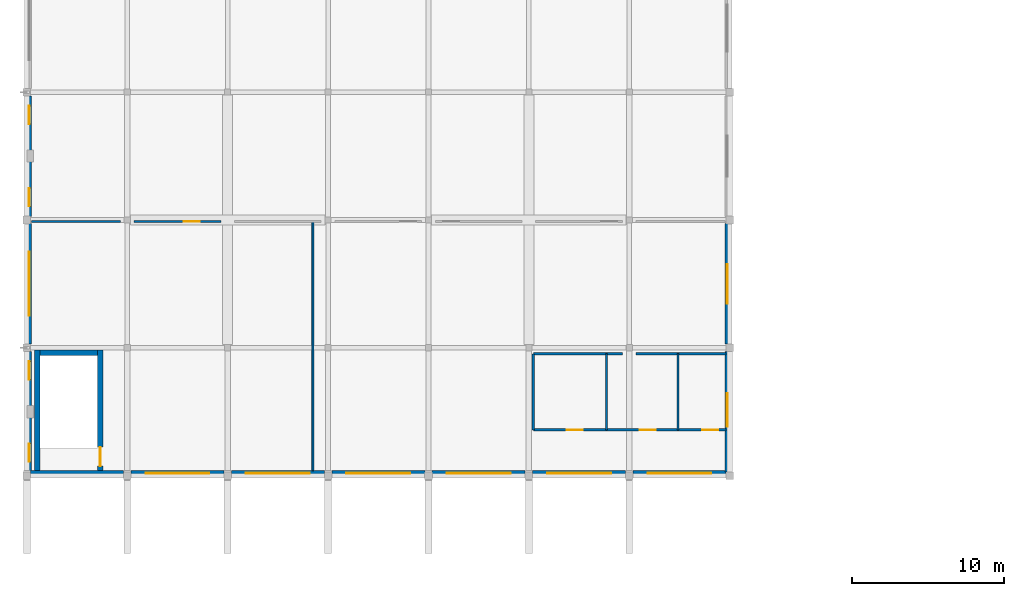
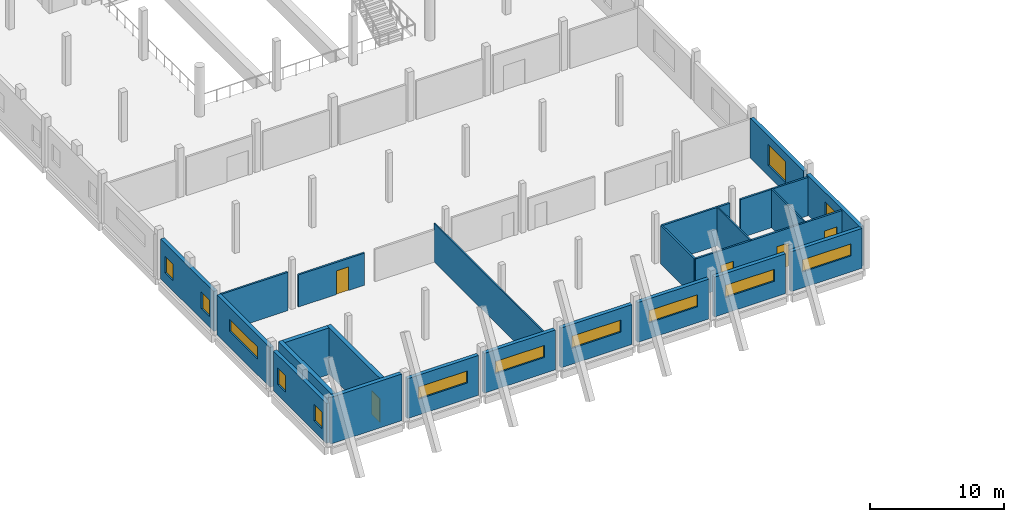
# One storey, part 45 of 76: 24 walls, 13 windows, 5 doors, 18 openings.
"""IFC4 building model written with IfcOpenShell, lengths in metres."""

from ifc_helpers import new_model, si_unit, direction, frame, frame_2d, origin, place, context, subcontext, project, spatial, rectangle, extrude, material, layer, layer_set, type_object, element, fill, save


model = new_model("IFC4")

# Units and contexts
model_context = context("Model", 3, precision=1e-05, world=origin(), true_north=direction((0.0, 1.0)))
body_context = subcontext(model_context, "Body", "Model", "MODEL_VIEW")
ifc_project = project(units=[si_unit("LENGTHUNIT", "METRE"), si_unit("AREAUNIT", "SQUARE_METRE"), si_unit("VOLUMEUNIT", "CUBIC_METRE"), si_unit("PLANEANGLEUNIT", "RADIAN"), si_unit("MASSUNIT", "GRAM", prefix="KILO")], contexts=[model_context])

# Site, building, storey
site_placement = place(None, origin())
site = spatial("IfcSite", under=ifc_project, at=site_placement, CompositionType="ELEMENT")
building_placement = place(site_placement, origin())
building = spatial("IfcBuilding", under=site, at=building_placement, Name="Qaldarim Faculty of Natural and Applied Sciences", CompositionType="ELEMENT")
storey_placement = place(building_placement, frame((0.0, 0.0, 9.89990234375)))
storey = spatial("IfcBuildingStorey", under=building, at=storey_placement, Name="L02", CompositionType="ELEMENT", Elevation=9.89990234375)

# Walls
ifc_material_1 = material(Name="Painted gypsum partition board")
ifc_layer_1 = layer(ifc_material_1, 0.1201171875)
ifc_layer_set_1 = layer_set([ifc_layer_1], Name="Painted gypsum partition board")
wall_type_1 = type_object("IfcWallType", Name="AcousticPartition-120", PredefinedType="PARTITIONING", material=ifc_layer_set_1)
for number, where, z_axis, x_axis, name in (
    (1, (38.10009765625, 19.800048828125, 0.0), (0.0, 0.0, 1.0), (0.0, 1.0, 0.0), "Interior partition PRT-L02-V1-WCD1"),
    (2, (42.800048828125, 19.800048828125, 0.0), (0.0, 0.0, 1.0), (0.0, 1.0, 0.0), "Interior partition PRT-L02-V1-WCD2"),
):
    element("IfcWall", number, at=place(storey_placement, frame(where, z_axis=z_axis, x_axis=x_axis)), inside=storey, type_object=wall_type_1, Name=name, PredefinedType="PARTITIONING", context=body_context, shape_type="SweptSolid", body=[
        extrude(rectangle(XDim=5.0, YDim=0.1201171875, at=frame_2d((2.5, 0.0))), origin(), (0.0, 0.0, 1.0), 3.489990234375),
    ])
wall_1_placement = place(storey_placement, frame((18.800048828125, 17.1201171875, 0.0), z_axis=(0.0, 0.0, 1.0), x_axis=(0.0, 1.0, 0.0)))
element("IfcWall", 3, at=wall_1_placement, inside=storey, type_object=wall_type_1, Name="Interior partition PRT-L02-V1-SEMD", PredefinedType="PARTITIONING", context=body_context, shape_type="SweptSolid", body=[
    extrude(rectangle(XDim=16.3798828125, YDim=0.1201171875, at=frame_2d((8.18994140625, 0.0))), origin(), (0.0, 0.0, 1.0), 3.489990234375),
])
ifc_material_2 = material(Name="Concrete C50/60", Category="concrete")
ifc_layer_2 = layer(ifc_material_2, 0.360107421875)
ifc_layer_set_2 = layer_set([ifc_layer_2], Name="Concrete C50/60")
wall_type_2 = type_object("IfcWallType", Name="CoreShearWall-360", PredefinedType="SHEAR", material=ifc_layer_set_2)
wall_2_placement = place(storey_placement, frame((0.669921875, 16.969970703125, 0.0), z_axis=(0.0, 0.0, 1.0), x_axis=(0.0, 1.0, 0.0)))
element("IfcWall", 4, at=wall_2_placement, inside=storey, type_object=wall_type_2, Name="Core stair ST-D1 west shear wall L02", PredefinedType="SHEAR", context=body_context, shape_type="SweptSolid", body=[
    extrude(rectangle(XDim=8.090087890625, YDim=0.360107421875, at=frame_2d((4.044921875, 0.0))), origin(), (0.0, 0.0, 1.0), 4.239990234375),
])

# Wall, opening, door
wall_3_placement = place(storey_placement, frame((4.830078125, 16.969970703125, 0.0), z_axis=(0.0, 0.0, 1.0), x_axis=(0.0, 1.0, 0.0)))
wall_3 = element("IfcWall", 5, at=wall_3_placement, inside=storey, type_object=wall_type_2, Name="Core stair ST-D1 east shear wall L02", PredefinedType="SHEAR", context=body_context, shape_type="SweptSolid", body=[
    extrude(rectangle(XDim=8.090087890625, YDim=0.360107421875, at=frame_2d((4.044921875, 0.0))), origin(), (0.0, 0.0, 1.0), 4.239990234375),
])
opening_1_placement = place(wall_3_placement, frame((0.449951171875, 0.0, 0.0)))
opening_1 = element("IfcOpeningElement", 6, at=opening_1_placement, cuts=wall_3, Name="Opening ID04", PredefinedType="OPENING", context=body_context, shape_type="SweptSolid", body=[
    extrude(rectangle(XDim=1.25, YDim=2.14990234375, at=frame_2d((0.625, 1.074951171875))), frame((0.0, 0.18994140625, 0.0), z_axis=(0.0, -1.0, 0.0), x_axis=(1.0, 0.0, 0.0)), (0.0, 0.0, 1.0), 0.380126953125),
])
ifc_material_3 = material(Name="Architectural stainless steel 316", Category="steel")
door_type_1 = type_object("IfcDoorType", Name="StairEnclosureFireDoor-1250x2150", OperationType="NOTDEFINED", PredefinedType="DOOR", material=ifc_material_3)
door_1_placement = place(opening_1_placement, origin())
door_1 = element("IfcDoor", 7, at=door_1_placement, inside=storey, type_object=door_type_1, Name="Protected stair ST-D1 fire door D-L02-551", OperationType="SINGLE_SWING_RIGHT", OverallHeight=2.14990234375, OverallWidth=1.25, PredefinedType="DOOR", context=body_context, shape_type="SweptSolid", body=[
    extrude(rectangle(XDim=1.25, YDim=2.14990234375, at=frame_2d((0.625, 1.074951171875))), frame((0.0, 0.02490234375, 0.0), z_axis=(0.0, -1.0, 0.0), x_axis=(1.0, 0.0, 0.0)), (0.0, 0.0, 1.0), 0.050048828125),
])
fill(opening_1, door_1)

# Wall
wall_4_placement = place(storey_placement, frame((0.85009765625, 24.8798828125, 0.0), z_axis=(0.0, 0.0, 1.0), x_axis=(1.0, 0.0, 0.0)))
element("IfcWall", 8, at=wall_4_placement, inside=storey, type_object=wall_type_2, Name="Core stair ST-D1 north shear wall L02", PredefinedType="SHEAR", context=body_context, shape_type="SweptSolid", body=[
    extrude(rectangle(XDim=3.7998046875, YDim=0.360107421875, at=frame_2d((1.89990234375, 0.0))), origin(), (0.0, 0.0, 1.0), 4.239990234375),
])

# Wall, openings, windows
ifc_material_4 = material(Name="Precast concrete C40/50", Category="concrete")
ifc_layer_3 = layer(ifc_material_4, 0.320068359375)
ifc_layer_set_3 = layer_set([ifc_layer_3], Name="Precast concrete C40/50")
wall_type_3 = type_object("IfcWallType", Name="ExteriorLimestoneWall-320", PredefinedType="SOLIDWALL", material=ifc_layer_set_3)
wall_5_placement = place(storey_placement, frame((0.159912109375, 24.955078125, 0.0), z_axis=(0.0, 0.0, 1.0), x_axis=(0.0, -1.0, 0.0)))
wall_5 = element("IfcWall", 9, at=wall_5_placement, inside=storey, type_object=wall_type_3, Name="Exterior wall EW01 L02 W X01Y03", PredefinedType="SOLIDWALL", context=body_context, shape_type="SweptSolid", body=[
    extrude(rectangle(XDim=7.91015625, YDim=0.320068359375, at=frame_2d((3.955078125, 0.0))), origin(), (0.0, 0.0, 1.0), 3.625),
])
opening_2_placement = place(wall_5_placement, frame((0.64990234375, 0.0, 0.949951171875)))
opening_2 = element("IfcOpeningElement", 10, at=opening_2_placement, cuts=wall_5, Name="Opening WN01", PredefinedType="OPENING", context=body_context, shape_type="SweptSolid", body=[
    extrude(rectangle(XDim=1.199951171875, YDim=1.5, at=frame_2d((0.60009765625, 0.75))), frame((0.0, 0.169921875, 0.0), z_axis=(0.0, -1.0, 0.0), x_axis=(1.0, 0.0, 0.0)), (0.0, 0.0, 1.0), 0.340087890625),
])
opening_3_placement = place(wall_5_placement, frame((6.06005859375, 0.0, 0.949951171875)))
opening_3 = element("IfcOpeningElement", 11, at=opening_3_placement, cuts=wall_5, Name="Opening WN01", PredefinedType="OPENING", context=body_context, shape_type="SweptSolid", body=[
    extrude(rectangle(XDim=1.199951171875, YDim=1.5, at=frame_2d((0.60009765625, 0.75))), frame((0.0, 0.169921875, 0.0), z_axis=(0.0, -1.0, 0.0), x_axis=(1.0, 0.0, 0.0)), (0.0, 0.0, 1.0), 0.340087890625),
])
ifc_material_5 = material(Name="Insulated low-e double glazing", Category="glass")
window_type_1 = type_object("IfcWindowType", Name="Window-1200x1500", PartitioningType="SINGLE_PANEL", PredefinedType="WINDOW", material=ifc_material_5)
window_1_placement = place(opening_2_placement, origin())
window_1 = element("IfcWindow", 12, at=window_1_placement, inside=storey, type_object=window_type_1, Name="Pilaster-bay flanking window L02 W X01Y03-1", OverallHeight=1.5, OverallWidth=1.199951171875, PartitioningType="SINGLE_PANEL", PredefinedType="WINDOW", context=body_context, shape_type="SweptSolid", body=[
    extrude(rectangle(XDim=1.199951171875, YDim=1.5, at=frame_2d((0.60009765625, 0.75))), frame((0.0, 0.030029296875, 0.0), z_axis=(0.0, -1.0, 0.0), x_axis=(1.0, 0.0, 0.0)), (0.0, 0.0, 1.0), 0.06005859375),
])
fill(opening_2, window_1)
window_2_placement = place(opening_3_placement, origin())
window_2 = element("IfcWindow", 13, at=window_2_placement, inside=storey, type_object=window_type_1, Name="Pilaster-bay flanking window L02 W X01Y03-2", OverallHeight=1.5, OverallWidth=1.199951171875, PartitioningType="SINGLE_PANEL", PredefinedType="WINDOW", context=body_context, shape_type="SweptSolid", body=[
    extrude(rectangle(XDim=1.199951171875, YDim=1.5, at=frame_2d((0.60009765625, 0.75))), frame((0.0, 0.030029296875, 0.0), z_axis=(0.0, -1.0, 0.0), x_axis=(1.0, 0.0, 0.0)), (0.0, 0.0, 1.0), 0.06005859375),
])
fill(opening_3, window_2)

# Wall, opening, window
wall_6_placement = place(storey_placement, frame((0.159912109375, 33.35498046875, 0.0), z_axis=(0.0, 0.0, 1.0), x_axis=(0.0, -1.0, 0.0)))
wall_6 = element("IfcWall", 14, at=wall_6_placement, inside=storey, type_object=wall_type_3, Name="Exterior wall EW01 L02 W X01Y04", PredefinedType="SOLIDWALL", context=body_context, shape_type="SweptSolid", body=[
    extrude(rectangle(XDim=7.909912109375, YDim=0.320068359375, at=frame_2d((3.955078125, 0.0))), origin(), (0.0, 0.0, 1.0), 3.625),
])
opening_4_placement = place(wall_6_placement, frame((1.85498046875, 0.0, 1.449951171875)))
opening_4 = element("IfcOpeningElement", 15, at=opening_4_placement, cuts=wall_6, Name="Opening WN08", PredefinedType="OPENING", context=body_context, shape_type="SweptSolid", body=[
    extrude(rectangle(XDim=4.199951171875, YDim=1.10009765625, at=frame_2d((2.10009765625, 0.550048828125))), frame((0.0, 0.169921875, 0.0), z_axis=(0.0, -1.0, 0.0), x_axis=(1.0, 0.0, 0.0)), (0.0, 0.0, 1.0), 0.340087890625),
])
window_type_2 = type_object("IfcWindowType", Name="ClerestoryWindow-4200x1100", PartitioningType="TRIPLE_PANEL_HORIZONTAL", PredefinedType="WINDOW", material=ifc_material_5)
window_3_placement = place(opening_4_placement, origin())
window_3 = element("IfcWindow", 16, at=window_3_placement, inside=storey, type_object=window_type_2, Name="Facade window WN08 L02 W X01Y04", OverallHeight=1.10009765625, OverallWidth=4.199951171875, PartitioningType="SINGLE_PANEL", PredefinedType="WINDOW", context=body_context, shape_type="SweptSolid", body=[
    extrude(rectangle(XDim=4.199951171875, YDim=1.10009765625, at=frame_2d((2.10009765625, 0.550048828125))), frame((0.0, 0.030029296875, 0.0), z_axis=(0.0, -1.0, 0.0), x_axis=(1.0, 0.0, 0.0)), (0.0, 0.0, 1.0), 0.06005859375),
])
fill(opening_4, window_3)

# Wall, openings, windows
wall_7_placement = place(storey_placement, frame((0.159912109375, 41.7548828125, 0.0), z_axis=(0.0, 0.0, 1.0), x_axis=(0.0, -1.0, 0.0)))
wall_7 = element("IfcWall", 17, at=wall_7_placement, inside=storey, type_object=wall_type_3, Name="Exterior wall EW01 L02 W X01Y05", PredefinedType="SOLIDWALL", context=body_context, shape_type="SweptSolid", body=[
    extrude(rectangle(XDim=7.909912109375, YDim=0.320068359375, at=frame_2d((3.955078125, 0.0))), origin(), (0.0, 0.0, 1.0), 3.625),
])
opening_5_placement = place(wall_7_placement, frame((0.64990234375, 0.0, 0.949951171875)))
opening_5 = element("IfcOpeningElement", 18, at=opening_5_placement, cuts=wall_7, Name="Opening WN01", PredefinedType="OPENING", context=body_context, shape_type="SweptSolid", body=[
    extrude(rectangle(XDim=1.199951171875, YDim=1.5, at=frame_2d((0.60009765625, 0.75))), frame((0.0, 0.169921875, 0.0), z_axis=(0.0, -1.0, 0.0), x_axis=(1.0, 0.0, 0.0)), (0.0, 0.0, 1.0), 0.340087890625),
])
opening_6_placement = place(wall_7_placement, frame((6.06005859375, 0.0, 0.949951171875)))
opening_6 = element("IfcOpeningElement", 19, at=opening_6_placement, cuts=wall_7, Name="Opening WN01", PredefinedType="OPENING", context=body_context, shape_type="SweptSolid", body=[
    extrude(rectangle(XDim=1.199951171875, YDim=1.5, at=frame_2d((0.60009765625, 0.75))), frame((0.0, 0.169921875, 0.0), z_axis=(0.0, -1.0, 0.0), x_axis=(1.0, 0.0, 0.0)), (0.0, 0.0, 1.0), 0.340087890625),
])
window_4_placement = place(opening_5_placement, origin())
window_4 = element("IfcWindow", 20, at=window_4_placement, inside=storey, type_object=window_type_1, Name="Pilaster-bay flanking window L02 W X01Y05-1", OverallHeight=1.5, OverallWidth=1.199951171875, PartitioningType="SINGLE_PANEL", PredefinedType="WINDOW", context=body_context, shape_type="SweptSolid", body=[
    extrude(rectangle(XDim=1.199951171875, YDim=1.5, at=frame_2d((0.60009765625, 0.75))), frame((0.0, 0.030029296875, 0.0), z_axis=(0.0, -1.0, 0.0), x_axis=(1.0, 0.0, 0.0)), (0.0, 0.0, 1.0), 0.06005859375),
])
fill(opening_5, window_4)
window_5_placement = place(opening_6_placement, origin())
window_5 = element("IfcWindow", 21, at=window_5_placement, inside=storey, type_object=window_type_1, Name="Pilaster-bay flanking window L02 W X01Y05-2", OverallHeight=1.5, OverallWidth=1.199951171875, PartitioningType="SINGLE_PANEL", PredefinedType="WINDOW", context=body_context, shape_type="SweptSolid", body=[
    extrude(rectangle(XDim=1.199951171875, YDim=1.5, at=frame_2d((0.60009765625, 0.75))), frame((0.0, 0.030029296875, 0.0), z_axis=(0.0, -1.0, 0.0), x_axis=(1.0, 0.0, 0.0)), (0.0, 0.0, 1.0), 0.06005859375),
])
fill(opening_6, window_5)

# Wall, opening, window
wall_8_placement = place(storey_placement, frame((6.844970703125, 16.9599609375, 0.0), z_axis=(0.0, 0.0, 1.0), x_axis=(1.0, 0.0, 0.0)))
wall_8 = element("IfcWall", 22, at=wall_8_placement, inside=storey, type_object=wall_type_3, Name="Exterior wall EW01 L02 S X02Y03", PredefinedType="SOLIDWALL", context=body_context, shape_type="SweptSolid", body=[
    extrude(rectangle(XDim=6.110107421875, YDim=0.320068359375, at=frame_2d((3.05517578125, 0.0))), origin(), (0.0, 0.0, 1.0), 3.625),
])
opening_7_placement = place(wall_8_placement, frame((0.955078125, 0.0, 1.449951171875)))
opening_7 = element("IfcOpeningElement", 23, at=opening_7_placement, cuts=wall_8, Name="Opening WN08", PredefinedType="OPENING", context=body_context, shape_type="SweptSolid", body=[
    extrude(rectangle(XDim=4.199951171875, YDim=1.10009765625, at=frame_2d((2.10009765625, 0.550048828125))), frame((0.0, 0.169921875, 0.0), z_axis=(0.0, -1.0, 0.0), x_axis=(1.0, 0.0, 0.0)), (0.0, 0.0, 1.0), 0.340087890625),
])
window_6_placement = place(opening_7_placement, origin())
window_6 = element("IfcWindow", 24, at=window_6_placement, inside=storey, type_object=window_type_2, Name="Facade window WN08 L02 S X02Y03", OverallHeight=1.10009765625, OverallWidth=4.199951171875, PartitioningType="SINGLE_PANEL", PredefinedType="WINDOW", context=body_context, shape_type="SweptSolid", body=[
    extrude(rectangle(XDim=4.199951171875, YDim=1.10009765625, at=frame_2d((2.10009765625, 0.550048828125))), frame((0.0, 0.030029296875, 0.0), z_axis=(0.0, -1.0, 0.0), x_axis=(1.0, 0.0, 0.0)), (0.0, 0.0, 1.0), 0.06005859375),
])
fill(opening_7, window_6)

wall_9_placement = place(storey_placement, frame((13.445068359375, 16.9599609375, 0.0), z_axis=(0.0, 0.0, 1.0), x_axis=(1.0, 0.0, 0.0)))
wall_9 = element("IfcWall", 25, at=wall_9_placement, inside=storey, type_object=wall_type_3, Name="Exterior wall EW01 L02 S X03Y03", PredefinedType="SOLIDWALL", context=body_context, shape_type="SweptSolid", body=[
    extrude(rectangle(XDim=6.10986328125, YDim=0.320068359375, at=frame_2d((3.054931640625, 0.0))), origin(), (0.0, 0.0, 1.0), 3.625),
])
opening_8_placement = place(wall_9_placement, frame((0.955078125, 0.0, 1.449951171875)))
opening_8 = element("IfcOpeningElement", 26, at=opening_8_placement, cuts=wall_9, Name="Opening WN08", PredefinedType="OPENING", context=body_context, shape_type="SweptSolid", body=[
    extrude(rectangle(XDim=4.199951171875, YDim=1.10009765625, at=frame_2d((2.10009765625, 0.550048828125))), frame((0.0, 0.169921875, 0.0), z_axis=(0.0, -1.0, 0.0), x_axis=(1.0, 0.0, 0.0)), (0.0, 0.0, 1.0), 0.340087890625),
])
window_7_placement = place(opening_8_placement, origin())
window_7 = element("IfcWindow", 27, at=window_7_placement, inside=storey, type_object=window_type_2, Name="Facade window WN08 L02 S X03Y03", OverallHeight=1.10009765625, OverallWidth=4.199951171875, PartitioningType="SINGLE_PANEL", PredefinedType="WINDOW", context=body_context, shape_type="SweptSolid", body=[
    extrude(rectangle(XDim=4.199951171875, YDim=1.10009765625, at=frame_2d((2.10009765625, 0.550048828125))), frame((0.0, 0.030029296875, 0.0), z_axis=(0.0, -1.0, 0.0), x_axis=(1.0, 0.0, 0.0)), (0.0, 0.0, 1.0), 0.06005859375),
])
fill(opening_8, window_7)

wall_10_placement = place(storey_placement, frame((20.044921875, 16.9599609375, 0.0), z_axis=(0.0, 0.0, 1.0), x_axis=(1.0, 0.0, 0.0)))
wall_10 = element("IfcWall", 28, at=wall_10_placement, inside=storey, type_object=wall_type_3, Name="Exterior wall EW01 L02 S X04Y03", PredefinedType="SOLIDWALL", context=body_context, shape_type="SweptSolid", body=[
    extrude(rectangle(XDim=6.110107421875, YDim=0.320068359375, at=frame_2d((3.05517578125, 0.0))), origin(), (0.0, 0.0, 1.0), 3.625),
])
opening_9_placement = place(wall_10_placement, frame((0.955078125, 0.0, 1.449951171875)))
opening_9 = element("IfcOpeningElement", 29, at=opening_9_placement, cuts=wall_10, Name="Opening WN08", PredefinedType="OPENING", context=body_context, shape_type="SweptSolid", body=[
    extrude(rectangle(XDim=4.199951171875, YDim=1.10009765625, at=frame_2d((2.10009765625, 0.550048828125))), frame((0.0, 0.169921875, 0.0), z_axis=(0.0, -1.0, 0.0), x_axis=(1.0, 0.0, 0.0)), (0.0, 0.0, 1.0), 0.340087890625),
])
window_8_placement = place(opening_9_placement, origin())
window_8 = element("IfcWindow", 30, at=window_8_placement, inside=storey, type_object=window_type_2, Name="Facade window WN08 L02 S X04Y03", OverallHeight=1.10009765625, OverallWidth=4.199951171875, PartitioningType="SINGLE_PANEL", PredefinedType="WINDOW", context=body_context, shape_type="SweptSolid", body=[
    extrude(rectangle(XDim=4.199951171875, YDim=1.10009765625, at=frame_2d((2.10009765625, 0.550048828125))), frame((0.0, 0.030029296875, 0.0), z_axis=(0.0, -1.0, 0.0), x_axis=(1.0, 0.0, 0.0)), (0.0, 0.0, 1.0), 0.06005859375),
])
fill(opening_9, window_8)

wall_11_placement = place(storey_placement, frame((26.64501953125, 16.9599609375, 0.0), z_axis=(0.0, 0.0, 1.0), x_axis=(1.0, 0.0, 0.0)))
wall_11 = element("IfcWall", 31, at=wall_11_placement, inside=storey, type_object=wall_type_3, Name="Exterior wall EW01 L02 S X05Y03", PredefinedType="SOLIDWALL", context=body_context, shape_type="SweptSolid", body=[
    extrude(rectangle(XDim=6.10986328125, YDim=0.320068359375, at=frame_2d((3.054931640625, 0.0))), origin(), (0.0, 0.0, 1.0), 3.625),
])
opening_10_placement = place(wall_11_placement, frame((0.955078125, 0.0, 1.449951171875)))
opening_10 = element("IfcOpeningElement", 32, at=opening_10_placement, cuts=wall_11, Name="Opening WN08", PredefinedType="OPENING", context=body_context, shape_type="SweptSolid", body=[
    extrude(rectangle(XDim=4.199951171875, YDim=1.10009765625, at=frame_2d((2.10009765625, 0.550048828125))), frame((0.0, 0.169921875, 0.0), z_axis=(0.0, -1.0, 0.0), x_axis=(1.0, 0.0, 0.0)), (0.0, 0.0, 1.0), 0.340087890625),
])
window_9_placement = place(opening_10_placement, origin())
window_9 = element("IfcWindow", 33, at=window_9_placement, inside=storey, type_object=window_type_2, Name="Facade window WN08 L02 S X05Y03", OverallHeight=1.10009765625, OverallWidth=4.199951171875, PartitioningType="SINGLE_PANEL", PredefinedType="WINDOW", context=body_context, shape_type="SweptSolid", body=[
    extrude(rectangle(XDim=4.199951171875, YDim=1.10009765625, at=frame_2d((2.10009765625, 0.550048828125))), frame((0.0, 0.030029296875, 0.0), z_axis=(0.0, -1.0, 0.0), x_axis=(1.0, 0.0, 0.0)), (0.0, 0.0, 1.0), 0.06005859375),
])
fill(opening_10, window_9)

wall_12_placement = place(storey_placement, frame((33.2451171875, 16.9599609375, 0.0), z_axis=(0.0, 0.0, 1.0), x_axis=(1.0, 0.0, 0.0)))
wall_12 = element("IfcWall", 34, at=wall_12_placement, inside=storey, type_object=wall_type_3, Name="Exterior wall EW01 L02 S X06Y03", PredefinedType="SOLIDWALL", context=body_context, shape_type="SweptSolid", body=[
    extrude(rectangle(XDim=6.10986328125, YDim=0.320068359375, at=frame_2d((3.054931640625, 0.0))), origin(), (0.0, 0.0, 1.0), 3.625),
])
opening_11_placement = place(wall_12_placement, frame((0.955078125, 0.0, 1.449951171875)))
opening_11 = element("IfcOpeningElement", 35, at=opening_11_placement, cuts=wall_12, Name="Opening WN08", PredefinedType="OPENING", context=body_context, shape_type="SweptSolid", body=[
    extrude(rectangle(XDim=4.199951171875, YDim=1.10009765625, at=frame_2d((2.10009765625, 0.550048828125))), frame((0.0, 0.169921875, 0.0), z_axis=(0.0, -1.0, 0.0), x_axis=(1.0, 0.0, 0.0)), (0.0, 0.0, 1.0), 0.340087890625),
])
window_10_placement = place(opening_11_placement, origin())
window_10 = element("IfcWindow", 36, at=window_10_placement, inside=storey, type_object=window_type_2, Name="Facade window WN08 L02 S X06Y03", OverallHeight=1.10009765625, OverallWidth=4.199951171875, PartitioningType="SINGLE_PANEL", PredefinedType="WINDOW", context=body_context, shape_type="SweptSolid", body=[
    extrude(rectangle(XDim=4.199951171875, YDim=1.10009765625, at=frame_2d((2.10009765625, 0.550048828125))), frame((0.0, 0.030029296875, 0.0), z_axis=(0.0, -1.0, 0.0), x_axis=(1.0, 0.0, 0.0)), (0.0, 0.0, 1.0), 0.06005859375),
])
fill(opening_11, window_10)

wall_13_placement = place(storey_placement, frame((39.844970703125, 16.9599609375, 0.0), z_axis=(0.0, 0.0, 1.0), x_axis=(1.0, 0.0, 0.0)))
wall_13 = element("IfcWall", 37, at=wall_13_placement, inside=storey, type_object=wall_type_3, Name="Exterior wall EW01 L02 S X07Y03", PredefinedType="SOLIDWALL", context=body_context, shape_type="SweptSolid", body=[
    extrude(rectangle(XDim=6.110107421875, YDim=0.320068359375, at=frame_2d((3.05517578125, 0.0))), origin(), (0.0, 0.0, 1.0), 3.625),
])
opening_12_placement = place(wall_13_placement, frame((0.955078125, 0.0, 1.449951171875)))
opening_12 = element("IfcOpeningElement", 38, at=opening_12_placement, cuts=wall_13, Name="Opening WN08", PredefinedType="OPENING", context=body_context, shape_type="SweptSolid", body=[
    extrude(rectangle(XDim=4.199951171875, YDim=1.10009765625, at=frame_2d((2.10009765625, 0.550048828125))), frame((0.0, 0.169921875, 0.0), z_axis=(0.0, -1.0, 0.0), x_axis=(1.0, 0.0, 0.0)), (0.0, 0.0, 1.0), 0.340087890625),
])
window_11_placement = place(opening_12_placement, origin())
window_11 = element("IfcWindow", 39, at=window_11_placement, inside=storey, type_object=window_type_2, Name="Facade window WN08 L02 S X07Y03", OverallHeight=1.10009765625, OverallWidth=4.199951171875, PartitioningType="SINGLE_PANEL", PredefinedType="WINDOW", context=body_context, shape_type="SweptSolid", body=[
    extrude(rectangle(XDim=4.199951171875, YDim=1.10009765625, at=frame_2d((2.10009765625, 0.550048828125))), frame((0.0, 0.030029296875, 0.0), z_axis=(0.0, -1.0, 0.0), x_axis=(1.0, 0.0, 0.0)), (0.0, 0.0, 1.0), 0.06005859375),
])
fill(opening_12, window_11)

wall_14_placement = place(storey_placement, frame((46.0400390625, 17.044921875, 0.0), z_axis=(0.0, 0.0, 1.0), x_axis=(0.0, 1.0, 0.0)))
wall_14 = element("IfcWall", 40, at=wall_14_placement, inside=storey, type_object=wall_type_3, Name="Exterior wall EW01 L02 E X07Y03", PredefinedType="SOLIDWALL", context=body_context, shape_type="SweptSolid", body=[
    extrude(rectangle(XDim=7.91015625, YDim=0.320068359375, at=frame_2d((3.955078125, 0.0))), origin(), (0.0, 0.0, 1.0), 3.625),
])
opening_13_placement = place(wall_14_placement, frame((2.97509765625, 0.0, 0.949951171875)))
opening_13 = element("IfcOpeningElement", 41, at=opening_13_placement, cuts=wall_14, Name="Opening WN21", PredefinedType="OPENING", context=body_context, shape_type="SweptSolid", body=[
    extrude(rectangle(XDim=2.199951171875, YDim=1.85009765625, at=frame_2d((1.10009765625, 0.925048828125))), frame((0.0, 0.169921875, 0.0), z_axis=(0.0, -1.0, 0.0), x_axis=(1.0, 0.0, 0.0)), (0.0, 0.0, 1.0), 0.340087890625),
])
window_type_3 = type_object("IfcWindowType", Name="StudyWindow-2200x1850", PartitioningType="TRIPLE_PANEL_VERTICAL", PredefinedType="WINDOW", material=ifc_material_5)
window_12_placement = place(opening_13_placement, origin())
window_12 = element("IfcWindow", 42, at=window_12_placement, inside=storey, type_object=window_type_3, Name="Facade window WN21 L02 E X07Y03", OverallHeight=1.85009765625, OverallWidth=2.199951171875, PartitioningType="SINGLE_PANEL", PredefinedType="WINDOW", context=body_context, shape_type="SweptSolid", body=[
    extrude(rectangle(XDim=2.199951171875, YDim=1.85009765625, at=frame_2d((1.10009765625, 0.925048828125))), frame((0.0, 0.030029296875, 0.0), z_axis=(0.0, -1.0, 0.0), x_axis=(1.0, 0.0, 0.0)), (0.0, 0.0, 1.0), 0.06005859375),
])
fill(opening_13, window_12)

wall_15_placement = place(storey_placement, frame((46.0400390625, 25.445068359375, 0.0), z_axis=(0.0, 0.0, 1.0), x_axis=(0.0, 1.0, 0.0)))
wall_15 = element("IfcWall", 43, at=wall_15_placement, inside=storey, type_object=wall_type_3, Name="Exterior wall EW01 L02 E X07Y04", PredefinedType="SOLIDWALL", context=body_context, shape_type="SweptSolid", body=[
    extrude(rectangle(XDim=7.909912109375, YDim=0.320068359375, at=frame_2d((3.955078125, 0.0))), origin(), (0.0, 0.0, 1.0), 3.625),
])
opening_14_placement = place(wall_15_placement, frame((2.655029296875, 0.0, 0.949951171875)))
opening_14 = element("IfcOpeningElement", 44, at=opening_14_placement, cuts=wall_15, Name="Opening WN22", PredefinedType="OPENING", context=body_context, shape_type="SweptSolid", body=[
    extrude(rectangle(XDim=2.60009765625, YDim=1.89990234375, at=frame_2d((1.300048828125, 0.949951171875))), frame((0.0, 0.169921875, 0.0), z_axis=(0.0, -1.0, 0.0), x_axis=(1.0, 0.0, 0.0)), (0.0, 0.0, 1.0), 0.340087890625),
])
window_type_4 = type_object("IfcWindowType", Name="StudyWindow-2600x1900", PartitioningType="TRIPLE_PANEL_VERTICAL", PredefinedType="WINDOW", material=ifc_material_5)
window_13_placement = place(opening_14_placement, origin())
window_13 = element("IfcWindow", 45, at=window_13_placement, inside=storey, type_object=window_type_4, Name="Facade window WN22 L02 E X07Y04", OverallHeight=1.89990234375, OverallWidth=2.60009765625, PartitioningType="SINGLE_PANEL", PredefinedType="WINDOW", context=body_context, shape_type="SweptSolid", body=[
    extrude(rectangle(XDim=2.60009765625, YDim=1.89990234375, at=frame_2d((1.300048828125, 0.949951171875))), frame((0.0, 0.030029296875, 0.0), z_axis=(0.0, -1.0, 0.0), x_axis=(1.0, 0.0, 0.0)), (0.0, 0.0, 1.0), 0.06005859375),
])
fill(opening_14, window_13)

# Wall
ifc_layer_4 = layer(ifc_material_2, 0.340087890625)
ifc_layer_set_4 = layer_set([ifc_layer_4], Name="Concrete C50/60")
wall_type_4 = type_object("IfcWallType", Name="ExteriorStairShearWall-340", PredefinedType="SHEAR", material=ifc_layer_set_4)
wall_16_placement = place(storey_placement, frame((0.2451171875, 16.969970703125, 0.0), z_axis=(0.0, 0.0, 1.0), x_axis=(1.0, 0.0, 0.0)))
element("IfcWall", 46, at=wall_16_placement, inside=storey, type_object=wall_type_4, Name="Exterior wall EW05 L02 S X01Y03", PredefinedType="SHEAR", context=body_context, shape_type="SweptSolid", body=[
    extrude(rectangle(XDim=6.10986328125, YDim=0.340087890625, at=frame_2d((3.054931640625, 0.0))), origin(), (0.0, 0.0, 1.0), 4.239990234375),
])

# Wall, openings, doors
ifc_material_6 = material(Name="Concrete C40/50", Category="concrete")
ifc_layer_5 = layer(ifc_material_6, 0.159912109375)
ifc_layer_set_5 = layer_set([ifc_layer_5], Name="Concrete C40/50")
wall_type_5 = type_object("IfcWallType", Name="FireCorridorWall-160", PredefinedType="PARTITIONING", material=ifc_layer_set_5)
wall_17_placement = place(storey_placement, frame((33.300048828125, 19.800048828125, 0.0), z_axis=(0.0, 0.0, 1.0), x_axis=(1.0, 0.0, 0.0)))
wall_17 = element("IfcWall", 47, at=wall_17_placement, inside=storey, type_object=wall_type_5, Name="Interior partition PRT-L02-V1-WCS", PredefinedType="PARTITIONING", context=body_context, shape_type="SweptSolid", body=[
    extrude(rectangle(XDim=12.64990234375, YDim=0.159912109375, at=frame_2d((6.324951171875, 0.0))), origin(), (0.0, 0.0, 1.0), 3.489990234375),
])
opening_15_placement = place(wall_17_placement, frame((2.199951171875, 0.0, 0.0)))
opening_15 = element("IfcOpeningElement", 48, at=opening_15_placement, cuts=wall_17, Name="Opening ID02", PredefinedType="OPENING", context=body_context, shape_type="SweptSolid", body=[
    extrude(rectangle(XDim=1.050048828125, YDim=2.14990234375, at=frame_2d((0.52490234375, 1.074951171875))), frame((0.0, 0.08984375, 0.0), z_axis=(0.0, -1.0, 0.0), x_axis=(1.0, 0.0, 0.0)), (0.0, 0.0, 1.0), 0.179931640625),
])
opening_16_placement = place(wall_17_placement, frame((7.0, 0.0, 0.0)))
opening_16 = element("IfcOpeningElement", 49, at=opening_16_placement, cuts=wall_17, Name="Opening ID02", PredefinedType="OPENING", context=body_context, shape_type="SweptSolid", body=[
    extrude(rectangle(XDim=1.050048828125, YDim=2.14990234375, at=frame_2d((0.52490234375, 1.074951171875))), frame((0.0, 0.08984375, 0.0), z_axis=(0.0, -1.0, 0.0), x_axis=(1.0, 0.0, 0.0)), (0.0, 0.0, 1.0), 0.179931640625),
])
opening_17_placement = place(wall_17_placement, frame((11.10009765625, 0.0, 0.0)))
opening_17 = element("IfcOpeningElement", 50, at=opening_17_placement, cuts=wall_17, Name="Opening ID02", PredefinedType="OPENING", context=body_context, shape_type="SweptSolid", body=[
    extrude(rectangle(XDim=1.050048828125, YDim=2.14990234375, at=frame_2d((0.52490234375, 1.074951171875))), frame((0.0, 0.08984375, 0.0), z_axis=(0.0, -1.0, 0.0), x_axis=(1.0, 0.0, 0.0)), (0.0, 0.0, 1.0), 0.179931640625),
])
ifc_material_7 = material(Name="Oak hardwood", Category="wood")
door_type_2 = type_object("IfcDoorType", Name="AccessibleRoomDoor-1050x2150", OperationType="NOTDEFINED", PredefinedType="DOOR", material=ifc_material_7)
door_2_placement = place(opening_15_placement, origin())
door_2 = element("IfcDoor", 51, at=door_2_placement, inside=storey, type_object=door_type_2, Name="Interior door D-L02-146", OperationType="SINGLE_SWING_LEFT", OverallHeight=2.14990234375, OverallWidth=1.050048828125, PredefinedType="DOOR", context=body_context, shape_type="SweptSolid", body=[
    extrude(rectangle(XDim=1.050048828125, YDim=2.14990234375, at=frame_2d((0.52490234375, 1.074951171875))), frame((0.0, 0.02490234375, 0.0), z_axis=(0.0, -1.0, 0.0), x_axis=(1.0, 0.0, 0.0)), (0.0, 0.0, 1.0), 0.050048828125),
])
fill(opening_15, door_2)
door_3_placement = place(opening_16_placement, origin())
door_3 = element("IfcDoor", 52, at=door_3_placement, inside=storey, type_object=door_type_2, Name="Interior door D-L02-147", OperationType="SINGLE_SWING_RIGHT", OverallHeight=2.14990234375, OverallWidth=1.050048828125, PredefinedType="DOOR", context=body_context, shape_type="SweptSolid", body=[
    extrude(rectangle(XDim=1.050048828125, YDim=2.14990234375, at=frame_2d((0.52490234375, 1.074951171875))), frame((0.0, 0.02490234375, 0.0), z_axis=(0.0, -1.0, 0.0), x_axis=(1.0, 0.0, 0.0)), (0.0, 0.0, 1.0), 0.050048828125),
])
fill(opening_16, door_3)
door_4_placement = place(opening_17_placement, origin())
door_4 = element("IfcDoor", 53, at=door_4_placement, inside=storey, type_object=door_type_2, Name="Interior door D-L02-148", OperationType="SINGLE_SWING_LEFT", OverallHeight=2.14990234375, OverallWidth=1.050048828125, PredefinedType="DOOR", context=body_context, shape_type="SweptSolid", body=[
    extrude(rectangle(XDim=1.050048828125, YDim=2.14990234375, at=frame_2d((0.52490234375, 1.074951171875))), frame((0.0, 0.02490234375, 0.0), z_axis=(0.0, -1.0, 0.0), x_axis=(1.0, 0.0, 0.0)), (0.0, 0.0, 1.0), 0.050048828125),
])
fill(opening_17, door_4)

# Walls
wall_18_placement = place(storey_placement, frame((33.300048828125, 24.800048828125, 0.0), z_axis=(0.0, 0.0, 1.0), x_axis=(1.0, 0.0, 0.0)))
element("IfcWall", 54, at=wall_18_placement, inside=storey, type_object=wall_type_5, Name="Interior partition PRT-L02-V1-WCN-S1", PredefinedType="PARTITIONING", context=body_context, shape_type="SweptSolid", body=[
    extrude(rectangle(XDim=5.849853515625, YDim=0.159912109375, at=frame_2d((2.9248046875, 0.0))), origin(), (0.0, 0.0, 1.0), 3.489990234375),
])
wall_19_placement = place(storey_placement, frame((40.050048828125, 24.800048828125, 0.0), z_axis=(0.0, 0.0, 1.0), x_axis=(1.0, 0.0, 0.0)))
element("IfcWall", 55, at=wall_19_placement, inside=storey, type_object=wall_type_5, Name="Interior partition PRT-L02-V1-WCN-S2", PredefinedType="PARTITIONING", context=body_context, shape_type="SweptSolid", body=[
    extrude(rectangle(XDim=5.89990234375, YDim=0.159912109375, at=frame_2d((2.949951171875, 0.0))), origin(), (0.0, 0.0, 1.0), 3.489990234375),
])
wall_20_placement = place(storey_placement, frame((33.300048828125, 19.800048828125, 0.0), z_axis=(0.0, 0.0, 1.0), x_axis=(0.0, 1.0, 0.0)))
element("IfcWall", 56, at=wall_20_placement, inside=storey, type_object=wall_type_5, Name="Interior partition PRT-L02-V1-WCW", PredefinedType="PARTITIONING", context=body_context, shape_type="SweptSolid", body=[
    extrude(rectangle(XDim=5.0, YDim=0.159912109375, at=frame_2d((2.5, 0.0))), origin(), (0.0, 0.0, 1.0), 3.489990234375),
])
wall_21_placement = place(storey_placement, frame((0.320068359375, 33.5, 0.0), z_axis=(0.0, 0.0, 1.0), x_axis=(1.0, 0.0, 0.0)))
element("IfcWall", 57, at=wall_21_placement, inside=storey, type_object=wall_type_5, Name="Interior partition PRT-L02-V1-DRWS-S1", PredefinedType="PARTITIONING", context=body_context, shape_type="SweptSolid", body=[
    extrude(rectangle(XDim=5.829833984375, YDim=0.159912109375, at=frame_2d((2.9150390625, 0.0))), origin(), (0.0, 0.0, 1.0), 3.489990234375),
])

# Wall, opening, door
wall_22_placement = place(storey_placement, frame((7.050048828125, 33.5, 0.0), z_axis=(0.0, 0.0, 1.0), x_axis=(1.0, 0.0, 0.0)))
wall_22 = element("IfcWall", 58, at=wall_22_placement, inside=storey, type_object=wall_type_5, Name="Interior partition PRT-L02-V1-DRWS-S2", PredefinedType="PARTITIONING", context=body_context, shape_type="SweptSolid", body=[
    extrude(rectangle(XDim=5.699951171875, YDim=0.159912109375, at=frame_2d((2.85009765625, 0.0))), origin(), (0.0, 0.0, 1.0), 2.925048828125),
])
opening_18_placement = place(wall_22_placement, frame((3.27001953125, 0.0, 0.0)))
opening_18 = element("IfcOpeningElement", 59, at=opening_18_placement, cuts=wall_22, Name="Opening ID02", PredefinedType="OPENING", context=body_context, shape_type="SweptSolid", body=[
    extrude(rectangle(XDim=1.050048828125, YDim=2.14990234375, at=frame_2d((0.52490234375, 1.074951171875))), frame((0.0, 0.08984375, 0.0), z_axis=(0.0, -1.0, 0.0), x_axis=(1.0, 0.0, 0.0)), (0.0, 0.0, 1.0), 0.179931640625),
])
door_5_placement = place(opening_18_placement, origin())
door_5 = element("IfcDoor", 60, at=door_5_placement, inside=storey, type_object=door_type_2, Name="Interior door D-L02-205", OperationType="SINGLE_SWING_LEFT", OverallHeight=2.14990234375, OverallWidth=1.050048828125, PredefinedType="DOOR", context=body_context, shape_type="SweptSolid", body=[
    extrude(rectangle(XDim=1.050048828125, YDim=2.14990234375, at=frame_2d((0.52490234375, 1.074951171875))), frame((0.0, 0.02490234375, 0.0), z_axis=(0.0, -1.0, 0.0), x_axis=(1.0, 0.0, 0.0)), (0.0, 0.0, 1.0), 0.050048828125),
])
fill(opening_18, door_5)

save(model, "model.ifc")
